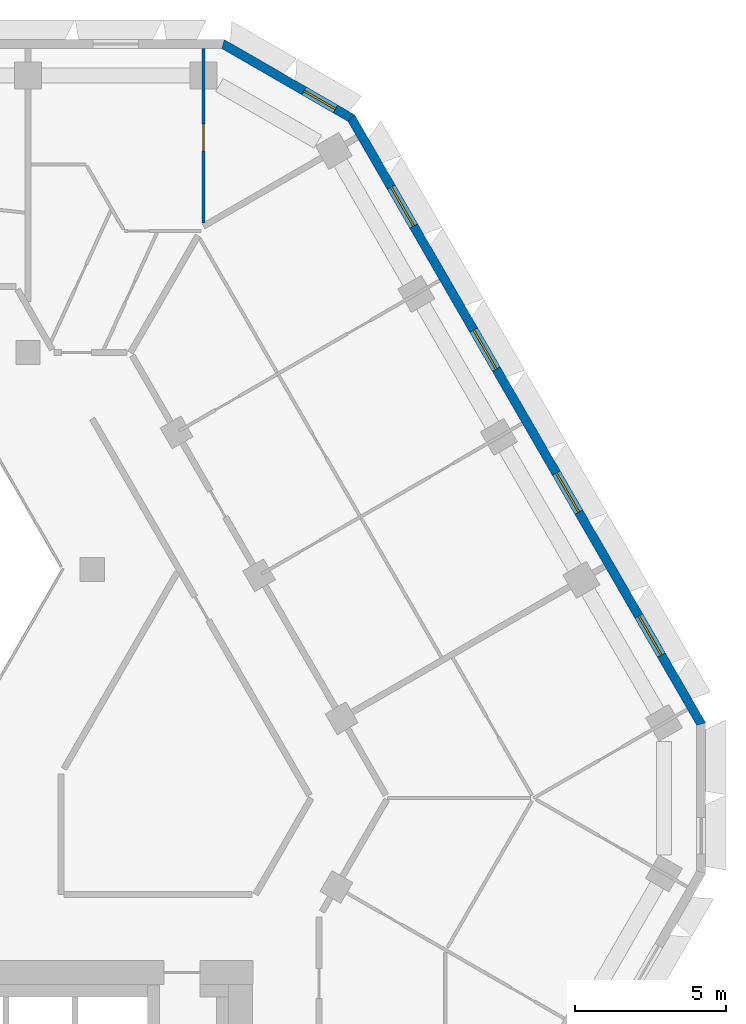
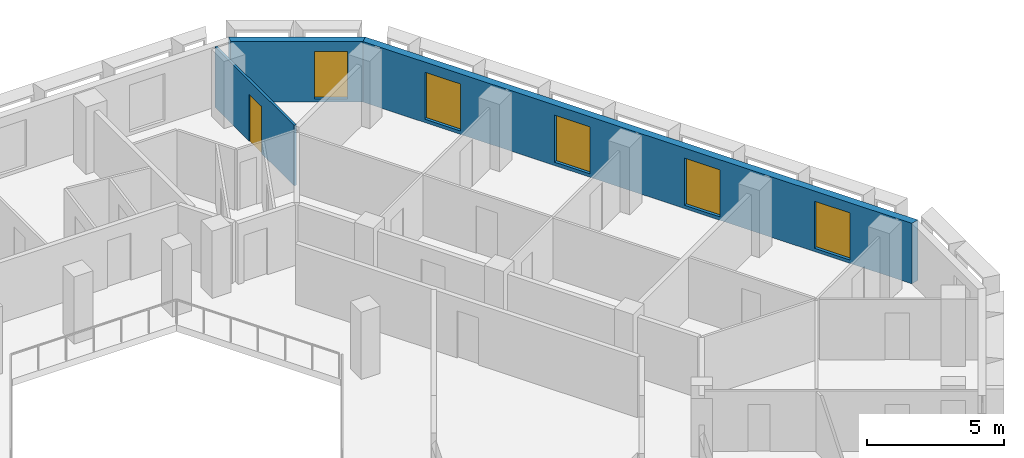
# One storey, part 9 of 15: 5 windows, 3 walls, 1 door, 6 openings.
"""IFC4 building model written with IfcOpenShell, lengths in metres."""

from ifc_helpers import new_model, si_unit, direction, frame, frame_2d, origin, place, context, subcontext, project, spatial, polyline, rectangle, outline, extrude, material, layer, layer_set, type_object, element, fill, save


model = new_model("IFC4")

# Units and contexts
model_context = context("Model", 3, precision=1e-05, world=origin(), true_north=direction((0.0, 1.0)))
body_context = subcontext(model_context, "Body", "Model", "MODEL_VIEW")
ifc_project = project(units=[si_unit("LENGTHUNIT", "METRE"), si_unit("AREAUNIT", "SQUARE_METRE"), si_unit("VOLUMEUNIT", "CUBIC_METRE"), si_unit("PLANEANGLEUNIT", "RADIAN"), si_unit("MASSUNIT", "GRAM", prefix="KILO")], contexts=[model_context])

# Site, building, storey
site_placement = place(None, origin())
site = spatial("IfcSite", under=ifc_project, at=site_placement, CompositionType="ELEMENT")
building_placement = place(site_placement, origin())
building = spatial("IfcBuilding", under=site, at=building_placement, Name="Beryl Residences", CompositionType="ELEMENT")
storey_placement = place(building_placement, frame((0.0, 0.0, 117.60009765625)))
storey = spatial("IfcBuildingStorey", under=building, at=storey_placement, Name="L35", CompositionType="ELEMENT", Elevation=117.60009765625)

# Wall, openings, windows
ifc_material_1 = material(Name="Composite metal panel with mineral wool insulation")
ifc_layer_1 = layer(ifc_material_1, 0.300048828125)
ifc_layer_set_1 = layer_set([ifc_layer_1], Name="ES1 pale metal composite panel wall 300 mm")
wall_type_1 = type_object("IfcWallType", Name="ES1 pale metal composite panel wall 300 mm", PredefinedType="SOLIDWALL", material=ifc_layer_set_1)
wall_1_placement = place(storey_placement, frame((28.218017578125, 2.824951171875, 0.0), z_axis=(0.0, 0.0, 1.0), x_axis=(-0.500020536353, 0.866013546791, 0.0)))
wall_1 = element("IfcWall", 1, at=wall_1_placement, inside=storey, type_object=wall_type_1, Name="ES1 external wall L35 NE", PredefinedType="SOLIDWALL", context=body_context, shape_type="SweptSolid", body=[
    extrude(outline(polyline([(0.0, -0.14990234375), (23.3251953125, -0.14990234375), (23.244873046875, 0.14990234375), (0.080322265625, 0.14990234375), (0.0, -0.14990234375)])), origin(), (0.0, 0.0, 1.0), 2.699951171875),
])
opening_1_placement = place(wall_1_placement, frame((2.68505859375, 0.0, 0.14990234375)))
opening_1 = element("IfcOpeningElement", 2, at=opening_1_placement, cuts=wall_1, Name="Opening W1", PredefinedType="OPENING", context=body_context, shape_type="SweptSolid", body=[
    extrude(rectangle(XDim=1.5, YDim=2.10009765625, at=frame_2d((0.75, 1.050048828125))), frame((0.0, 0.159912109375, 0.0), z_axis=(0.0, -1.0, 0.0), x_axis=(1.0, 0.0, 0.0)), (0.0, 0.0, 1.0), 0.320068359375),
])
opening_2_placement = place(wall_1_placement, frame((8.169921875, 0.0, 0.14990234375)))
opening_2 = element("IfcOpeningElement", 3, at=opening_2_placement, cuts=wall_1, Name="Opening W1", PredefinedType="OPENING", context=body_context, shape_type="SweptSolid", body=[
    extrude(rectangle(XDim=1.5, YDim=2.10009765625, at=frame_2d((0.75, 1.050048828125))), frame((0.0, 0.159912109375, 0.0), z_axis=(0.0, -1.0, 0.0), x_axis=(1.0, 0.0, 0.0)), (0.0, 0.0, 1.0), 0.320068359375),
])
opening_3_placement = place(wall_1_placement, frame((13.655029296875, 0.0, 0.14990234375)))
opening_3 = element("IfcOpeningElement", 4, at=opening_3_placement, cuts=wall_1, Name="Opening W1", PredefinedType="OPENING", context=body_context, shape_type="SweptSolid", body=[
    extrude(rectangle(XDim=1.5, YDim=2.10009765625, at=frame_2d((0.75, 1.050048828125))), frame((0.0, 0.159912109375, 0.0), z_axis=(0.0, -1.0, 0.0), x_axis=(1.0, 0.0, 0.0)), (0.0, 0.0, 1.0), 0.320068359375),
])
opening_4_placement = place(wall_1_placement, frame((19.139892578125, 0.0, 0.14990234375)))
opening_4 = element("IfcOpeningElement", 5, at=opening_4_placement, cuts=wall_1, Name="Opening W1", PredefinedType="OPENING", context=body_context, shape_type="SweptSolid", body=[
    extrude(rectangle(XDim=1.5, YDim=2.10009765625, at=frame_2d((0.75, 1.050048828125))), frame((0.0, 0.159912109375, 0.0), z_axis=(0.0, -1.0, 0.0), x_axis=(1.0, 0.0, 0.0)), (0.0, 0.0, 1.0), 0.320068359375),
])
ifc_material_2 = material(Name="Aluminium and clear glass", Category="aluminium")
window_type_1 = type_object("IfcWindowType", Name="W1 cell window 1500 x 2100 mm", PartitioningType="SINGLE_PANEL", PredefinedType="WINDOW", material=ifc_material_2)
window_1_placement = place(opening_1_placement, origin())
window_1 = element("IfcWindow", 6, at=window_1_placement, inside=storey, type_object=window_type_1, Name="W1 window L35 NE 2", OverallHeight=2.10009765625, OverallWidth=1.5, PartitioningType="SINGLE_PANEL", PredefinedType="WINDOW", context=body_context, shape_type="SweptSolid", body=[
    extrude(rectangle(XDim=1.5, YDim=2.10009765625, at=frame_2d((0.75, 1.050048828125))), frame((0.0, 0.030029296875, 0.0), z_axis=(0.0, -1.0, 0.0), x_axis=(1.0, 0.0, 0.0)), (0.0, 0.0, 1.0), 0.06005859375),
])
fill(opening_1, window_1)
window_2_placement = place(opening_2_placement, origin())
window_2 = element("IfcWindow", 7, at=window_2_placement, inside=storey, type_object=window_type_1, Name="W1 window L35 NE 4", OverallHeight=2.10009765625, OverallWidth=1.5, PartitioningType="SINGLE_PANEL", PredefinedType="WINDOW", context=body_context, shape_type="SweptSolid", body=[
    extrude(rectangle(XDim=1.5, YDim=2.10009765625, at=frame_2d((0.75, 1.050048828125))), frame((0.0, 0.030029296875, 0.0), z_axis=(0.0, -1.0, 0.0), x_axis=(1.0, 0.0, 0.0)), (0.0, 0.0, 1.0), 0.06005859375),
])
fill(opening_2, window_2)
window_3_placement = place(opening_3_placement, origin())
window_3 = element("IfcWindow", 8, at=window_3_placement, inside=storey, type_object=window_type_1, Name="W1 window L35 NE 6", OverallHeight=2.10009765625, OverallWidth=1.5, PartitioningType="SINGLE_PANEL", PredefinedType="WINDOW", context=body_context, shape_type="SweptSolid", body=[
    extrude(rectangle(XDim=1.5, YDim=2.10009765625, at=frame_2d((0.75, 1.050048828125))), frame((0.0, 0.030029296875, 0.0), z_axis=(0.0, -1.0, 0.0), x_axis=(1.0, 0.0, 0.0)), (0.0, 0.0, 1.0), 0.06005859375),
])
fill(opening_3, window_3)
window_4_placement = place(opening_4_placement, origin())
window_4 = element("IfcWindow", 9, at=window_4_placement, inside=storey, type_object=window_type_1, Name="W1 window L35 NE 8", OverallHeight=2.10009765625, OverallWidth=1.5, PartitioningType="SINGLE_PANEL", PredefinedType="WINDOW", context=body_context, shape_type="SweptSolid", body=[
    extrude(rectangle(XDim=1.5, YDim=2.10009765625, at=frame_2d((0.75, 1.050048828125))), frame((0.0, 0.030029296875, 0.0), z_axis=(0.0, -1.0, 0.0), x_axis=(1.0, 0.0, 0.0)), (0.0, 0.0, 1.0), 0.06005859375),
])
fill(opening_4, window_4)

# Wall, opening, window
wall_2_placement = place(storey_placement, frame((16.610107421875, 22.969970703125, 0.0), z_axis=(0.0, 0.0, 1.0), x_axis=(-0.866022959057, 0.500004234368, 0.0)))
wall_2 = element("IfcWall", 10, at=wall_2_placement, inside=storey, type_object=wall_type_1, Name="ES1 external wall L35 NE-N", PredefinedType="SOLIDWALL", context=body_context, shape_type="SweptSolid", body=[
    extrude(outline(polyline([(0.0, -0.14990234375), (5.0, -0.14990234375), (4.919677734375, 0.14990234375), (0.080322265625, 0.14990234375), (0.0, -0.14990234375)])), origin(), (0.0, 0.0, 1.0), 2.699951171875),
])
opening_5_placement = place(wall_2_placement, frame((0.64990234375, 0.0, 0.14990234375)))
opening_5 = element("IfcOpeningElement", 11, at=opening_5_placement, cuts=wall_2, Name="Opening W2", PredefinedType="OPENING", context=body_context, shape_type="SweptSolid", body=[
    extrude(rectangle(XDim=1.199951171875, YDim=2.10009765625, at=frame_2d((0.60009765625, 1.050048828125))), frame((0.0, 0.159912109375, 0.0), z_axis=(0.0, -1.0, 0.0), x_axis=(1.0, 0.0, 0.0)), (0.0, 0.0, 1.0), 0.320068359375),
])
ifc_material_3 = material(Name="Aluminium and clear glass", Category="aluminium")
window_type_2 = type_object("IfcWindowType", Name="W2 chamfer window 1200 x 2100 mm", PartitioningType="SINGLE_PANEL", PredefinedType="WINDOW", material=ifc_material_3)
window_5_placement = place(opening_5_placement, origin())
window_5 = element("IfcWindow", 12, at=window_5_placement, inside=storey, type_object=window_type_2, Name="W2 window L35 NE-N 1", OverallHeight=2.10009765625, OverallWidth=1.199951171875, PartitioningType="SINGLE_PANEL", PredefinedType="WINDOW", context=body_context, shape_type="SweptSolid", body=[
    extrude(rectangle(XDim=1.199951171875, YDim=2.10009765625, at=frame_2d((0.60009765625, 1.050048828125))), frame((0.0, 0.030029296875, 0.0), z_axis=(0.0, -1.0, 0.0), x_axis=(1.0, 0.0, 0.0)), (0.0, 0.0, 1.0), 0.06005859375),
])
fill(opening_5, window_5)

# Wall, opening, door
ifc_material_4 = material(Name="Gypsum board partition on steel studs", Category="steel")
ifc_layer_2 = layer(ifc_material_4, 0.10009765625)
ifc_layer_set_2 = layer_set([ifc_layer_2], Name="PT1 partition 100 mm gypsum board on steel studs")
wall_type_2 = type_object("IfcWallType", Name="PT1 partition 100 mm gypsum board on steel studs", PredefinedType="PARTITIONING", material=ifc_layer_set_2)
wall_3_placement = place(storey_placement, frame((11.662109375, 19.513916015625, 0.0), z_axis=(0.0, 0.0, 1.0), x_axis=(0.0, 1.0, 0.0)))
wall_3 = element("IfcWall", 13, at=wall_3_placement, inside=storey, type_object=wall_type_2, Name="Wall PT1 L35 041", PredefinedType="PARTITIONING", context=body_context, shape_type="SweptSolid", body=[
    extrude(rectangle(XDim=5.7861328125, YDim=0.10009765625, at=frame_2d((2.89306640625, 0.0))), origin(), (0.0, 0.0, 1.0), 2.699951171875),
])
opening_6_placement = place(wall_3_placement, frame((2.385009765625, 0.0, 0.0)))
opening_6 = element("IfcOpeningElement", 14, at=opening_6_placement, cuts=wall_3, Name="Opening D1229", PredefinedType="OPENING", context=body_context, shape_type="SweptSolid", body=[
    extrude(rectangle(XDim=0.89990234375, YDim=2.10009765625, at=frame_2d((0.449951171875, 1.050048828125))), frame((0.0, 0.06005859375, 0.0), z_axis=(0.0, -1.0, 0.0), x_axis=(1.0, 0.0, 0.0)), (0.0, 0.0, 1.0), 0.1201171875),
])
ifc_material_5 = material(Name="Timber door leaf", Category="wood")
door_type = type_object("IfcDoorType", Name="D2 room door 900 x 2100 mm", OperationType="SINGLE_SWING_LEFT", PredefinedType="DOOR", material=ifc_material_5)
door_placement = place(opening_6_placement, origin())
door = element("IfcDoor", 15, at=door_placement, inside=storey, type_object=door_type, Name="Door D1229 L35 001", OperationType="SINGLE_SWING_LEFT", OverallHeight=2.10009765625, OverallWidth=0.89990234375, PredefinedType="DOOR", context=body_context, shape_type="SweptSolid", body=[
    extrude(rectangle(XDim=0.89990234375, YDim=2.10009765625, at=frame_2d((0.449951171875, 1.050048828125))), frame((0.0, 0.02490234375, 0.0), z_axis=(0.0, -1.0, 0.0), x_axis=(1.0, 0.0, 0.0)), (0.0, 0.0, 1.0), 0.050048828125),
])
fill(opening_6, door)

save(model, "model.ifc")
